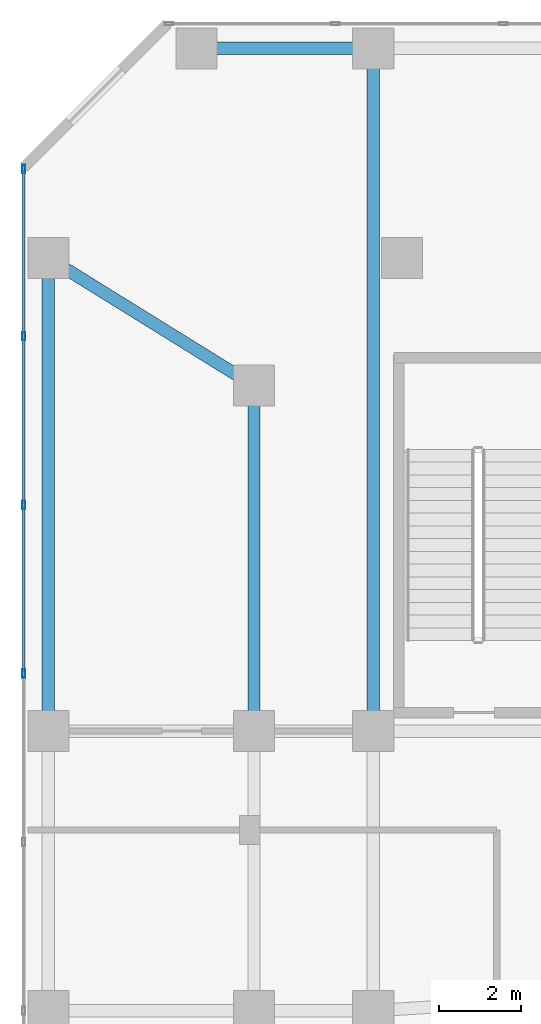
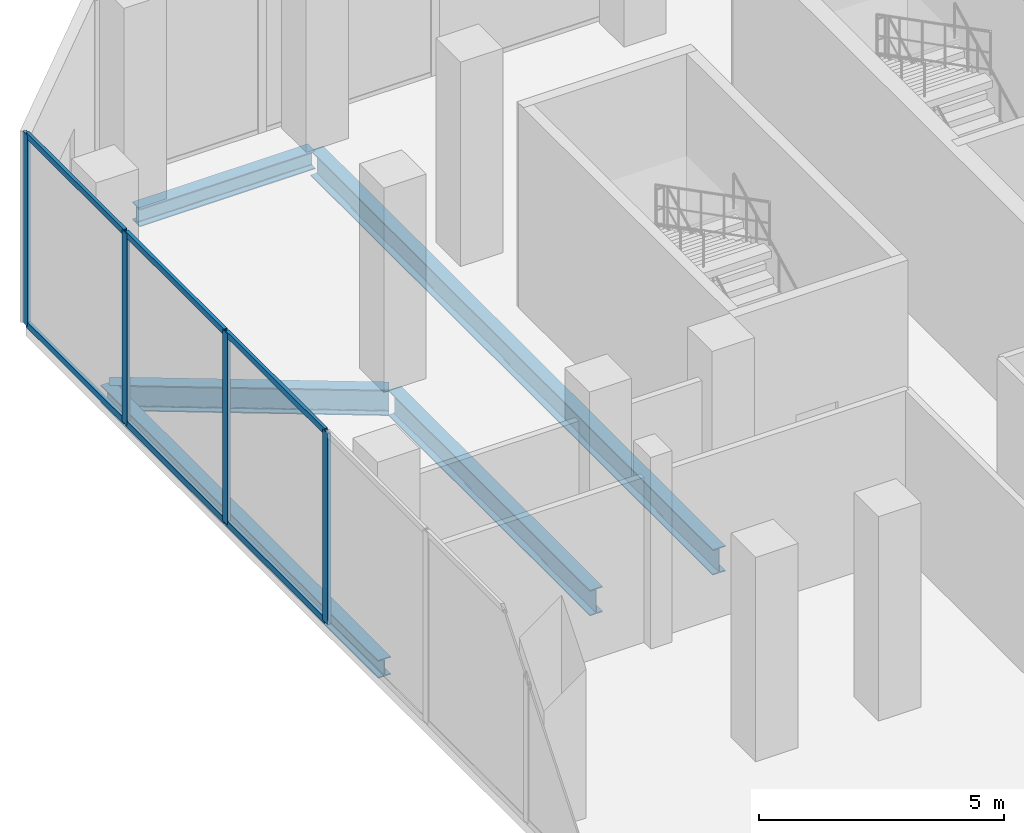
# One storey, part 12 of 24: 10 members, 5 beams, 1 element without a shape of its own.
"""IFC4 building model written with IfcOpenShell, lengths in metres."""

from ifc_helpers import new_model, si_unit, direction, frame, origin, origin_2d, place, context, subcontext, project, spatial, hollow_rectangle, i_section, extrude, material, layer, layer_set, material_profile, profile_set, type_object, element, aggregate, save


model = new_model("IFC4")

# Units and contexts
model_context = context("Model", 3, precision=1e-05, world=origin(), true_north=direction((0.0, 1.0)))
body_context = subcontext(model_context, "Body", "Model", "MODEL_VIEW")
ifc_project = project(units=[si_unit("LENGTHUNIT", "METRE"), si_unit("AREAUNIT", "SQUARE_METRE"), si_unit("VOLUMEUNIT", "CUBIC_METRE"), si_unit("PLANEANGLEUNIT", "RADIAN"), si_unit("MASSUNIT", "GRAM", prefix="KILO")], contexts=[model_context])

# Site, building, storey
site_placement = place(None, origin())
site = spatial("IfcSite", under=ifc_project, at=site_placement, CompositionType="ELEMENT")
building_placement = place(site_placement, origin())
building = spatial("IfcBuilding", under=site, at=building_placement, Name="Catumbela Crestline Tower", CompositionType="ELEMENT")
storey_placement = place(building_placement, frame((0.0, 0.0, 6.0)))
storey = spatial("IfcBuildingStorey", under=building, at=storey_placement, Name="L01", CompositionType="ELEMENT", Elevation=6.0)

# Beams
ifc_material_1 = material(Name="Structural steel S355J2", Category="steel")
ifc_material_profile_1 = material_profile(ifc_material_1, i_section(OverallWidth=0.3, OverallDepth=0.64, WebThickness=0.0135, FlangeThickness=0.026, FilletRadius=0.027, at=origin_2d()), Name="HEA 650")
ifc_profile_set_1 = profile_set([ifc_material_profile_1], Name="Structural steel S355J2")
beam_type_1 = type_object("IfcBeamType", Name="BG-HEA650", PredefinedType="BEAM", material=ifc_profile_set_1)
beam_1_placement = place(storey_placement, frame((0.668, 42.2578, -0.64), z_axis=(0.849908952007, -0.526929571479, 0.0), x_axis=(0.526929571479, 0.849908952007, 0.0)))
element("IfcBeam", 1, at=beam_1_placement, inside=storey, type_object=beam_type_1, Name="L01 Beam BM-L01-N11", PredefinedType="BEAM", context=body_context, shape_type="SweptSolid", body=[
    extrude(i_section(OverallWidth=0.3, OverallDepth=0.64, WebThickness=0.0135, FlangeThickness=0.026, FilletRadius=0.027, at=origin_2d()), origin(), (0.0, 0.0, 1.0), 5.723),
])
beam_2_placement = place(storey_placement, frame((5.6, 30.88, -0.64), z_axis=(0.0, 1.0, 0.0), x_axis=(-1.0, 0.0, 0.0)))
element("IfcBeam", 2, at=beam_2_placement, inside=storey, type_object=beam_type_1, Name="L01 Beam BM-L01-SN26", PredefinedType="BEAM", context=body_context, shape_type="SweptSolid", body=[
    extrude(i_section(OverallWidth=0.3, OverallDepth=0.64, WebThickness=0.0135, FlangeThickness=0.026, FilletRadius=0.027, at=origin_2d()), origin(), (0.0, 0.0, 1.0), 8.24),
])
beam_3_placement = place(storey_placement, frame((8.5, 30.88, -0.64), z_axis=(0.0, 1.0, 0.0), x_axis=(-1.0, 0.0, 0.0)))
element("IfcBeam", 3, at=beam_3_placement, inside=storey, type_object=beam_type_1, Name="L01 Beam BM-L01-SN28", PredefinedType="BEAM", context=body_context, shape_type="SweptSolid", body=[
    extrude(i_section(OverallWidth=0.3, OverallDepth=0.64, WebThickness=0.0135, FlangeThickness=0.026, FilletRadius=0.027, at=origin_2d()), origin(), (0.0, 0.0, 1.0), 16.44),
])

# Curtain wall, members
ifc_material_2 = material(Name="Aluminium alloy AW-6060-T66", Category="aluminium")
ifc_layer = layer(ifc_material_2, 0.18, Name="Aluminium alloy AW-6060-T66")
ifc_layer_set = layer_set([ifc_layer], Name="Aluminium alloy AW-6060-T66")
curtain_wall_type = type_object("IfcCurtainWallType", Name="CWS-POD", PredefinedType="USERDEFINED", material=ifc_layer_set)
curtain_wall_placement = place(storey_placement, origin())
curtain_wall = element("IfcCurtainWall", 4, at=curtain_wall_placement, inside=storey, type_object=curtain_wall_type, Name="L01 Stick Curtain Wall CW-L01-E9S1", ObjectType="STICK", PredefinedType="USERDEFINED")
ifc_material_profile_2 = material_profile(ifc_material_2, hollow_rectangle(XDim=0.075, YDim=0.2, WallThickness=0.005, at=origin_2d()), Name="ALU 200x75x5")
ifc_profile_set_2 = profile_set([ifc_material_profile_2], Name="Aluminium alloy AW-6060-T66")
member_type_1 = type_object("IfcMemberType", Name="MUL-200X75", PredefinedType="MULLION", material=ifc_profile_set_2)
member_1_placement = place(storey_placement, frame((0.0, 44.4675, 0.0), z_axis=(0.0, 0.0, 1.0), x_axis=(1.0, 0.0, 0.0)))
member_1 = element("IfcMember", 5, at=member_1_placement, type_object=member_type_1, Name="CWS-POD mullion 1", PredefinedType="MULLION", context=body_context, shape_type="SweptSolid", body=[
    extrude(hollow_rectangle(XDim=0.075, YDim=0.2, WallThickness=0.005, at=origin_2d()), origin(), (0.0, 0.0, 1.0), 4.77),
])
member_2_placement = place(storey_placement, frame((0.0, 40.4, 0.0), z_axis=(0.0, 0.0, 1.0), x_axis=(1.0, 0.0, 0.0)))
member_2 = element("IfcMember", 6, at=member_2_placement, type_object=member_type_1, Name="CWS-POD mullion 2", PredefinedType="MULLION", context=body_context, shape_type="SweptSolid", body=[
    extrude(hollow_rectangle(XDim=0.075, YDim=0.2, WallThickness=0.005, at=origin_2d()), origin(), (0.0, 0.0, 1.0), 4.77),
])
member_3_placement = place(storey_placement, frame((0.0, 36.3, 0.0), z_axis=(0.0, 0.0, 1.0), x_axis=(1.0, 0.0, 0.0)))
member_3 = element("IfcMember", 7, at=member_3_placement, type_object=member_type_1, Name="CWS-POD mullion 3", PredefinedType="MULLION", context=body_context, shape_type="SweptSolid", body=[
    extrude(hollow_rectangle(XDim=0.075, YDim=0.2, WallThickness=0.005, at=origin_2d()), origin(), (0.0, 0.0, 1.0), 4.77),
])
member_4_placement = place(storey_placement, frame((0.0, 32.2, 0.0), z_axis=(0.0, 0.0, 1.0), x_axis=(1.0, 0.0, 0.0)))
member_4 = element("IfcMember", 8, at=member_4_placement, type_object=member_type_1, Name="CWS-POD mullion 4", PredefinedType="MULLION", context=body_context, shape_type="SweptSolid", body=[
    extrude(hollow_rectangle(XDim=0.075, YDim=0.2, WallThickness=0.005, at=origin_2d()), origin(), (0.0, 0.0, 1.0), 4.77),
])

# Beams
ifc_material_profile_3 = material_profile(ifc_material_1, i_section(OverallWidth=0.3, OverallDepth=0.45, WebThickness=0.014, FlangeThickness=0.026, FilletRadius=0.027, at=origin_2d()), Name="HEB 450")
ifc_profile_set_3 = profile_set([ifc_material_profile_3], Name="Structural steel S355J2")
beam_type_2 = type_object("IfcBeamType", Name="BS-HEB450", PredefinedType="SPANDREL", material=ifc_profile_set_3)
beam_4_placement = place(storey_placement, frame((4.28, 47.4, -0.545), z_axis=(1.0, 0.0, 0.0), x_axis=(0.0, 1.0, 0.0)))
element("IfcBeam", 9, at=beam_4_placement, inside=storey, type_object=beam_type_2, Name="L01 Spandrel SP-L01-NF17", PredefinedType="SPANDREL", context=body_context, shape_type="SweptSolid", body=[
    extrude(i_section(OverallWidth=0.3, OverallDepth=0.45, WebThickness=0.014, FlangeThickness=0.026, FilletRadius=0.027, at=origin_2d()), origin(), (0.0, 0.0, 1.0), 4.14),
])
beam_5_placement = place(storey_placement, frame((0.6, 30.88, -0.545), z_axis=(0.0, 1.0, 0.0), x_axis=(-1.0, 0.0, 0.0)))
element("IfcBeam", 10, at=beam_5_placement, inside=storey, type_object=beam_type_2, Name="L01 Spandrel SP-L01-SN24", PredefinedType="SPANDREL", context=body_context, shape_type="SweptSolid", body=[
    extrude(i_section(OverallWidth=0.3, OverallDepth=0.45, WebThickness=0.014, FlangeThickness=0.026, FilletRadius=0.027, at=origin_2d()), origin(), (0.0, 0.0, 1.0), 11.34),
])

# Member
ifc_material_profile_4 = material_profile(ifc_material_2, hollow_rectangle(XDim=0.075, YDim=0.15, WallThickness=0.0045, at=origin_2d()), Name="ALU 150x75x4.5")
ifc_profile_set_4 = profile_set([ifc_material_profile_4], Name="Aluminium alloy AW-6060-T66")
member_type_2 = type_object("IfcMemberType", Name="TRN-150X75", PredefinedType="USERDEFINED", material=ifc_profile_set_4)
member_5_placement = place(storey_placement, frame((0.0, 44.435, 0.03), z_axis=(0.0, -1.0, 0.0), x_axis=(1.0, 0.0, 0.0)))
member_5 = element("IfcMember", 11, at=member_5_placement, type_object=member_type_2, Name="CWS-POD transom 1.1", ObjectType="TRANSOM", PredefinedType="USERDEFINED", context=body_context, shape_type="SweptSolid", body=[
    extrude(hollow_rectangle(XDim=0.075, YDim=0.15, WallThickness=0.0045, at=origin_2d()), origin(), (0.0, 0.0, 1.0), 4.0025),
])

member_6_placement = place(storey_placement, frame((0.0, 44.435, 4.74), z_axis=(0.0, -1.0, 0.0), x_axis=(1.0, 0.0, 0.0)))
member_6 = element("IfcMember", 12, at=member_6_placement, type_object=member_type_2, Name="CWS-POD transom 1.2", ObjectType="TRANSOM", PredefinedType="USERDEFINED", context=body_context, shape_type="SweptSolid", body=[
    extrude(hollow_rectangle(XDim=0.075, YDim=0.15, WallThickness=0.0045, at=origin_2d()), origin(), (0.0, 0.0, 1.0), 4.0025),
])

member_7_placement = place(storey_placement, frame((0.0, 40.3675, 0.03), z_axis=(0.0, -1.0, 0.0), x_axis=(1.0, 0.0, 0.0)))
member_7 = element("IfcMember", 13, at=member_7_placement, type_object=member_type_2, Name="CWS-POD transom 2.1", ObjectType="TRANSOM", PredefinedType="USERDEFINED", context=body_context, shape_type="SweptSolid", body=[
    extrude(hollow_rectangle(XDim=0.075, YDim=0.15, WallThickness=0.0045, at=origin_2d()), origin(), (0.0, 0.0, 1.0), 4.035),
])

member_8_placement = place(storey_placement, frame((0.0, 40.3675, 4.74), z_axis=(0.0, -1.0, 0.0), x_axis=(1.0, 0.0, 0.0)))
member_8 = element("IfcMember", 14, at=member_8_placement, type_object=member_type_2, Name="CWS-POD transom 2.2", ObjectType="TRANSOM", PredefinedType="USERDEFINED", context=body_context, shape_type="SweptSolid", body=[
    extrude(hollow_rectangle(XDim=0.075, YDim=0.15, WallThickness=0.0045, at=origin_2d()), origin(), (0.0, 0.0, 1.0), 4.035),
])

member_9_placement = place(storey_placement, frame((0.0, 36.2675, 0.03), z_axis=(0.0, -1.0, 0.0), x_axis=(1.0, 0.0, 0.0)))
member_9 = element("IfcMember", 15, at=member_9_placement, type_object=member_type_2, Name="CWS-POD transom 3.1", ObjectType="TRANSOM", PredefinedType="USERDEFINED", context=body_context, shape_type="SweptSolid", body=[
    extrude(hollow_rectangle(XDim=0.075, YDim=0.15, WallThickness=0.0045, at=origin_2d()), origin(), (0.0, 0.0, 1.0), 4.035),
])

member_10_placement = place(storey_placement, frame((0.0, 36.2675, 4.74), z_axis=(0.0, -1.0, 0.0), x_axis=(1.0, 0.0, 0.0)))
member_10 = element("IfcMember", 16, at=member_10_placement, type_object=member_type_2, Name="CWS-POD transom 3.2", ObjectType="TRANSOM", PredefinedType="USERDEFINED", context=body_context, shape_type="SweptSolid", body=[
    extrude(hollow_rectangle(XDim=0.075, YDim=0.15, WallThickness=0.0045, at=origin_2d()), origin(), (0.0, 0.0, 1.0), 4.035),
])

aggregate(curtain_wall, [member_1, member_2, member_3, member_4, member_5, member_6, member_7, member_8, member_9, member_10])

save(model, "model.ifc")
